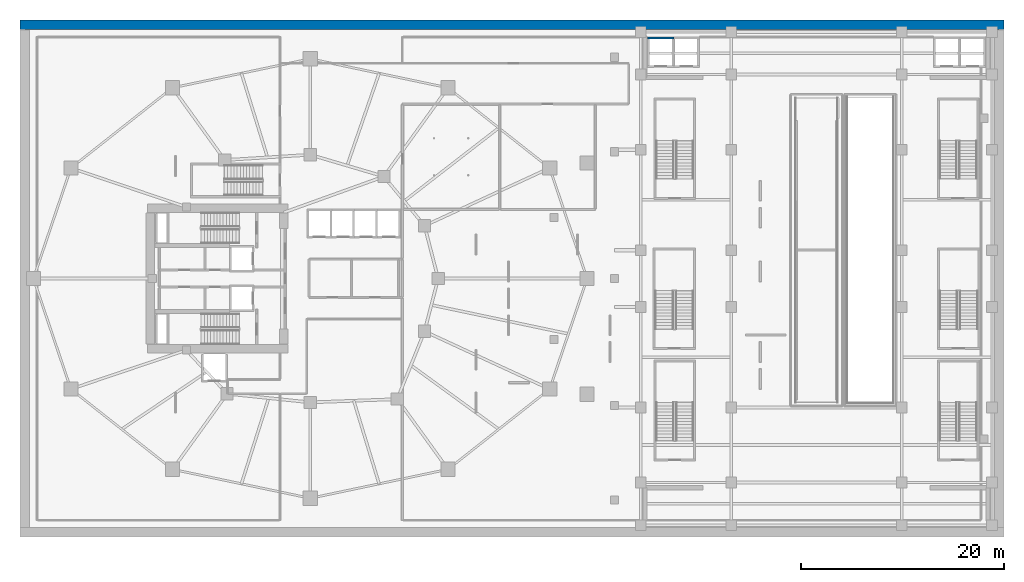
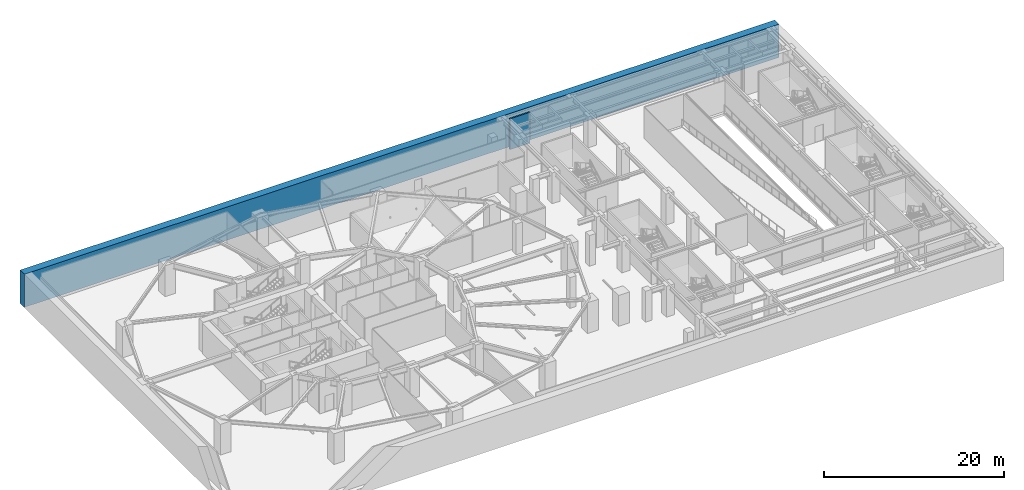
# One storey, part 8 of 16: 2 walls.
"""IFC4 building model written with IfcOpenShell, lengths in metres."""

from ifc_helpers import new_model, si_unit, direction, frame, frame_2d, origin, place, context, subcontext, project, spatial, rectangle, extrude, material, layer, layer_set, type_object, element, save


model = new_model("IFC4")

# Units and contexts
model_context = context("Model", 3, precision=1e-05, world=origin(), true_north=direction((0.0, 1.0)))
body_context = subcontext(model_context, "Body", "Model", "MODEL_VIEW")
ifc_project = project(units=[si_unit("LENGTHUNIT", "METRE"), si_unit("AREAUNIT", "SQUARE_METRE"), si_unit("VOLUMEUNIT", "CUBIC_METRE"), si_unit("PLANEANGLEUNIT", "RADIAN"), si_unit("MASSUNIT", "GRAM", prefix="KILO")], contexts=[model_context])

# Site, building, storey
site_placement = place(None, origin())
site = spatial("IfcSite", under=ifc_project, at=site_placement, CompositionType="ELEMENT")
building_placement = place(site_placement, origin())
building = spatial("IfcBuilding", under=site, at=building_placement, Name="Kolvaren Gate Tower and Convention Centre", CompositionType="ELEMENT")
storey_placement = place(building_placement, frame((0.0, 0.0, -9.0)))
storey = spatial("IfcBuildingStorey", under=building, at=storey_placement, Name="B2", CompositionType="ELEMENT", Elevation=-9.0)

# Walls
ifc_material_1 = material(Name="Autoclaved Aerated Masonry Blockwork Class 4 (4.0 MPa)", Category="masonry")
ifc_layer_1 = layer(ifc_material_1, 0.199951171875)
ifc_layer_set_1 = layer_set([ifc_layer_1], Name="Autoclaved Aerated Masonry Blockwork Class 4 (4.0 MPa)")
wall_type_1 = type_object("IfcWallType", Name="ARCH-WL-SHAFT-200", PredefinedType="SOLIDWALL", material=ifc_layer_set_1)
wall_1_placement = place(storey_placement, frame((63.35009765625, 50.699951171875, 0.0), z_axis=(0.0, 0.0, 1.0), x_axis=(1.0, 0.0, 0.0)))
element("IfcWall", 1, at=wall_1_placement, inside=storey, type_object=wall_type_1, Name="Elevator CL-01 B2 Fire Shaft Wall N", PredefinedType="SOLIDWALL", context=body_context, shape_type="SweptSolid", body=[
    extrude(rectangle(XDim=2.599853515625, YDim=0.199951171875, at=frame_2d((1.2998046875, 0.0))), origin(), (0.0, 0.0, 1.0), 4.179931640625),
])
ifc_material_2 = material(Name="Concrete C50/60", Category="concrete")
ifc_layer_2 = layer(ifc_material_2, 0.949951171875)
ifc_layer_set_2 = layer_set([ifc_layer_2], Name="Concrete C50/60")
wall_type_2 = type_object("IfcWallType", Name="STR-WL-DIAPH-950", PredefinedType="USERDEFINED", material=ifc_layer_set_2)
wall_2_placement = place(storey_placement, frame((1.52490234375, 52.0, -0.320068359375), z_axis=(0.0, 0.0, 1.0), x_axis=(1.0, 0.0, 0.0)))
element("IfcWall", 2, at=wall_2_placement, inside=storey, type_object=wall_type_2, Name="Basement B2 N Perimeter Diaphragm Wall", ObjectType="RETAINING WALL", PredefinedType="USERDEFINED", context=body_context, shape_type="SweptSolid", body=[
    extrude(rectangle(XDim=96.9501953125, YDim=0.949951171875, at=frame_2d((48.47509765625, 0.0))), origin(), (0.0, 0.0, 1.0), 4.5),
])

save(model, "model.ifc")
